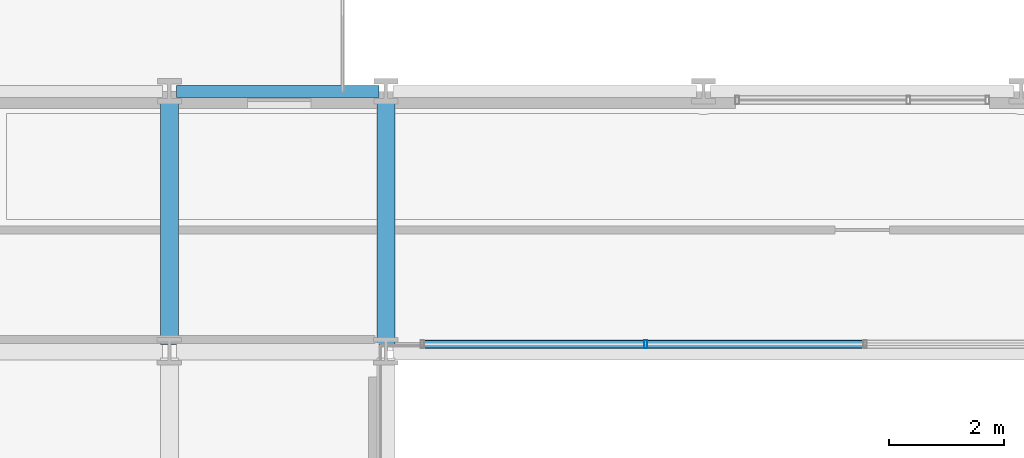
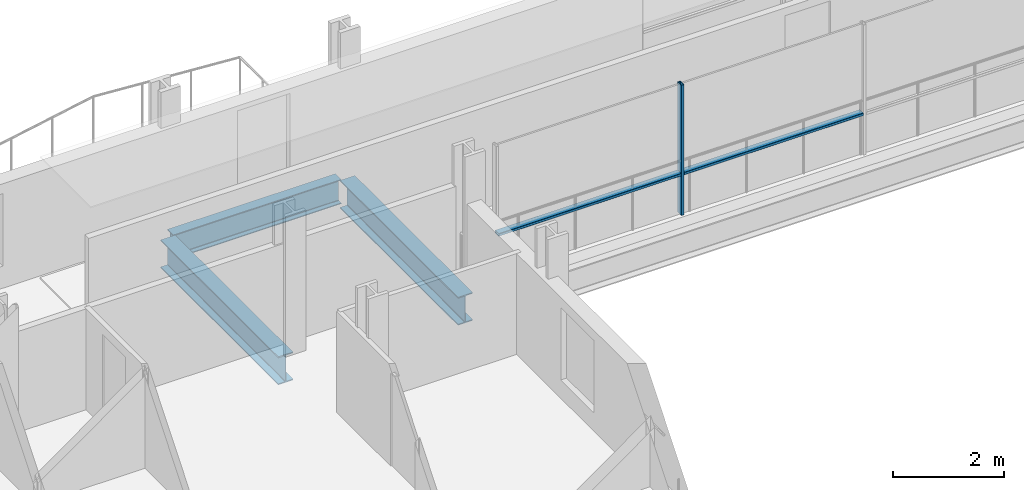
# One storey, part 9 of 38: 3 beams, 3 members, 1 element without a shape of its own.
"""IFC4 building model written with IfcOpenShell, lengths in metres."""

from ifc_helpers import new_model, si_unit, direction, frame, origin, origin_2d, place, context, subcontext, project, spatial, hollow_rectangle, i_section, extrude, material, layer, layer_set, material_profile, profile_set, type_object, element, aggregate, save


model = new_model("IFC4")

# Units and contexts
model_context = context("Model", 3, precision=1e-05, world=origin(), true_north=direction((0.0, 1.0)))
body_context = subcontext(model_context, "Body", "Model", "MODEL_VIEW")
ifc_project = project(units=[si_unit("LENGTHUNIT", "METRE"), si_unit("AREAUNIT", "SQUARE_METRE"), si_unit("VOLUMEUNIT", "CUBIC_METRE"), si_unit("PLANEANGLEUNIT", "RADIAN"), si_unit("MASSUNIT", "GRAM", prefix="KILO")], contexts=[model_context])

# Site, building, storey
site_placement = place(None, origin())
site = spatial("IfcSite", under=ifc_project, at=site_placement, CompositionType="ELEMENT")
building_placement = place(site_placement, origin())
building = spatial("IfcBuilding", under=site, at=building_placement, Name="Brevholm Reach", CompositionType="ELEMENT")
storey_placement = place(building_placement, frame((0.0, 0.0, 52.800048828125)))
storey = spatial("IfcBuildingStorey", under=building, at=storey_placement, Name="L14", CompositionType="ELEMENT", Elevation=52.800048828125)

# Beams
ifc_material_1 = material(Name="Structural Steel S355J2", Category="steel")
ifc_material_profile_1 = material_profile(ifc_material_1, i_section(OverallWidth=0.210693359375, OverallDepth=0.53955078125, WebThickness=0.01171875, FlangeThickness=0.018798828125, FilletRadius=0.0126953125, at=origin_2d()), Name="UKB 533x210x109")
ifc_profile_set_1 = profile_set([ifc_material_profile_1], Name="Structural Steel S355J2")
beam_type_1 = type_object("IfcBeamType", Name="BM-SP539", PredefinedType="SPANDREL", material=ifc_profile_set_1)
beam_placement = place(storey_placement, frame((18.1201171875, 31.0, -0.499755859375), z_axis=(1.0, 0.0, 0.0), x_axis=(0.0, 1.0, 0.0)))
element("IfcBeam", 1, at=beam_placement, inside=storey, type_object=beam_type_1, Name="L14 SP-01B Framing Beam", PredefinedType="SPANDREL", context=body_context, shape_type="SweptSolid", body=[
    extrude(i_section(OverallWidth=0.210693359375, OverallDepth=0.53955078125, WebThickness=0.01171875, FlangeThickness=0.018798828125, FilletRadius=0.0126953125, at=origin_2d()), origin(), (0.0, 0.0, 1.0), 3.509765625),
])
ifc_material_2 = material(Name="Structural Steel S355J2", Category="steel")
ifc_material_profile_2 = material_profile(ifc_material_2, i_section(OverallWidth=0.30712890625, OverallDepth=0.6201171875, WebThickness=0.01416015625, FlangeThickness=0.023681640625, FilletRadius=0.0166015625, at=origin_2d()), Name="UKB 610x305x179")
ifc_profile_set_2 = profile_set([ifc_material_profile_2], Name="Structural Steel S355J2")
beam_type_2 = type_object("IfcBeamType", Name="BM-UKB610H", PredefinedType="USERDEFINED", material=ifc_profile_set_2)
for number, where, z_axis, x_axis, name in (
    (2, (18.0, 26.6201171875, -0.5400390625), (0.0, 1.0, 0.0), (-1.0, 0.0, 0.0), "L14 G-06 Framing Beam"),
    (3, (21.75, 26.6201171875, -0.5400390625), (0.0, 1.0, 0.0), (-1.0, 0.0, 0.0), "L14 G-06 Framing Beam"),
):
    element("IfcBeam", number, at=place(storey_placement, frame(where, z_axis=z_axis, x_axis=x_axis)), inside=storey, type_object=beam_type_2, Name=name, ObjectType="GIRDER", PredefinedType="USERDEFINED", context=body_context, shape_type="SweptSolid", body=[
        extrude(i_section(OverallWidth=0.30712890625, OverallDepth=0.6201171875, WebThickness=0.01416015625, FlangeThickness=0.023681640625, FilletRadius=0.0166015625, at=origin_2d()), origin(), (0.0, 0.0, 1.0), 4.259765625),
    ])

# Curtain wall, members
ifc_material_3 = material(Name="Dark Anodised Aluminium 6063-T6 and Solar-Control Glass", Category="aluminium")
ifc_layer = layer(ifc_material_3, 0.139892578125)
ifc_layer_set = layer_set([ifc_layer], Name="Dark Anodised Aluminium 6063-T6 and Solar-Control Glass")
curtain_wall_type = type_object("IfcCurtainWallType", Name="CW-02", PredefinedType="NOTDEFINED", material=ifc_layer_set)
curtain_wall_placement = place(storey_placement, origin())
curtain_wall = element("IfcCurtainWall", 4, at=curtain_wall_placement, inside=storey, type_object=curtain_wall_type, Name="L14 Curtain Wall CW-02", PredefinedType="NOTDEFINED")
ifc_material_4 = material(Name="Dark Anodised Aluminium 6063-T6", Category="aluminium")
ifc_material_profile_3 = material_profile(ifc_material_4, hollow_rectangle(XDim=0.06005859375, YDim=0.139892578125, WallThickness=0.0048828125, InnerFilletRadius=0.0048828125, OuterFilletRadius=0.010009765625, at=origin_2d()), Name="RHS 140x60x5")
ifc_profile_set_3 = profile_set([ifc_material_profile_3], Name="Dark Anodised Aluminium 6063-T6")
member_type_1 = type_object("IfcMemberType", Name="CWM-140", PredefinedType="MULLION", material=ifc_profile_set_3)
member_1_placement = place(storey_placement, frame((26.25, 26.6201171875, 0.0), z_axis=(0.0, 0.0, 1.0), x_axis=(-1.0, 0.0, 0.0)))
member_1 = element("IfcMember", 5, at=member_1_placement, type_object=member_type_1, Name="CM-140 Mullion 4", PredefinedType="MULLION", context=body_context, shape_type="SweptSolid", body=[
    extrude(hollow_rectangle(XDim=0.06005859375, YDim=0.139892578125, WallThickness=0.0048828125, InnerFilletRadius=0.0048828125, OuterFilletRadius=0.010009765625, at=origin_2d()), origin(), (0.0, 0.0, 1.0), 2.869873046875),
])
ifc_material_5 = material(Name="Dark Anodised Aluminium 6063-T6", Category="aluminium")
ifc_material_profile_4 = material_profile(ifc_material_5, hollow_rectangle(XDim=0.06005859375, YDim=0.139892578125, WallThickness=0.0048828125, InnerFilletRadius=0.0048828125, OuterFilletRadius=0.010009765625, at=origin_2d()), Name="RHS 140x60x5")
ifc_profile_set_4 = profile_set([ifc_material_profile_4], Name="Dark Anodised Aluminium 6063-T6")
member_type_2 = type_object("IfcMemberType", Name="CWT-140", PredefinedType="NOTDEFINED", material=ifc_profile_set_4)
member_2_placement = place(storey_placement, frame((30.02001953125, 26.6201171875, 0.89990234375), z_axis=(-1.0, 0.0, 0.0), x_axis=(0.0, 0.0, 1.0)))
member_2 = element("IfcMember", 6, at=member_2_placement, type_object=member_type_2, Name="CT-140 Transom 3.1", ObjectType="TRANSOM", PredefinedType="USERDEFINED", context=body_context, shape_type="SweptSolid", body=[
    extrude(hollow_rectangle(XDim=0.06005859375, YDim=0.139892578125, WallThickness=0.0048828125, InnerFilletRadius=0.0048828125, OuterFilletRadius=0.010009765625, at=origin_2d()), origin(), (0.0, 0.0, 1.0), 3.739990234375),
])
member_3_placement = place(storey_placement, frame((26.219970703125, 26.6201171875, 0.89990234375), z_axis=(-1.0, 0.0, 0.0), x_axis=(0.0, 0.0, 1.0)))
member_3 = element("IfcMember", 7, at=member_3_placement, type_object=member_type_2, Name="CT-140 Transom 4.1", ObjectType="TRANSOM", PredefinedType="USERDEFINED", context=body_context, shape_type="SweptSolid", body=[
    extrude(hollow_rectangle(XDim=0.06005859375, YDim=0.139892578125, WallThickness=0.0048828125, InnerFilletRadius=0.0048828125, OuterFilletRadius=0.010009765625, at=origin_2d()), origin(), (0.0, 0.0, 1.0), 3.81005859375),
])
aggregate(curtain_wall, [member_1, member_2, member_3])

save(model, "model.ifc")
